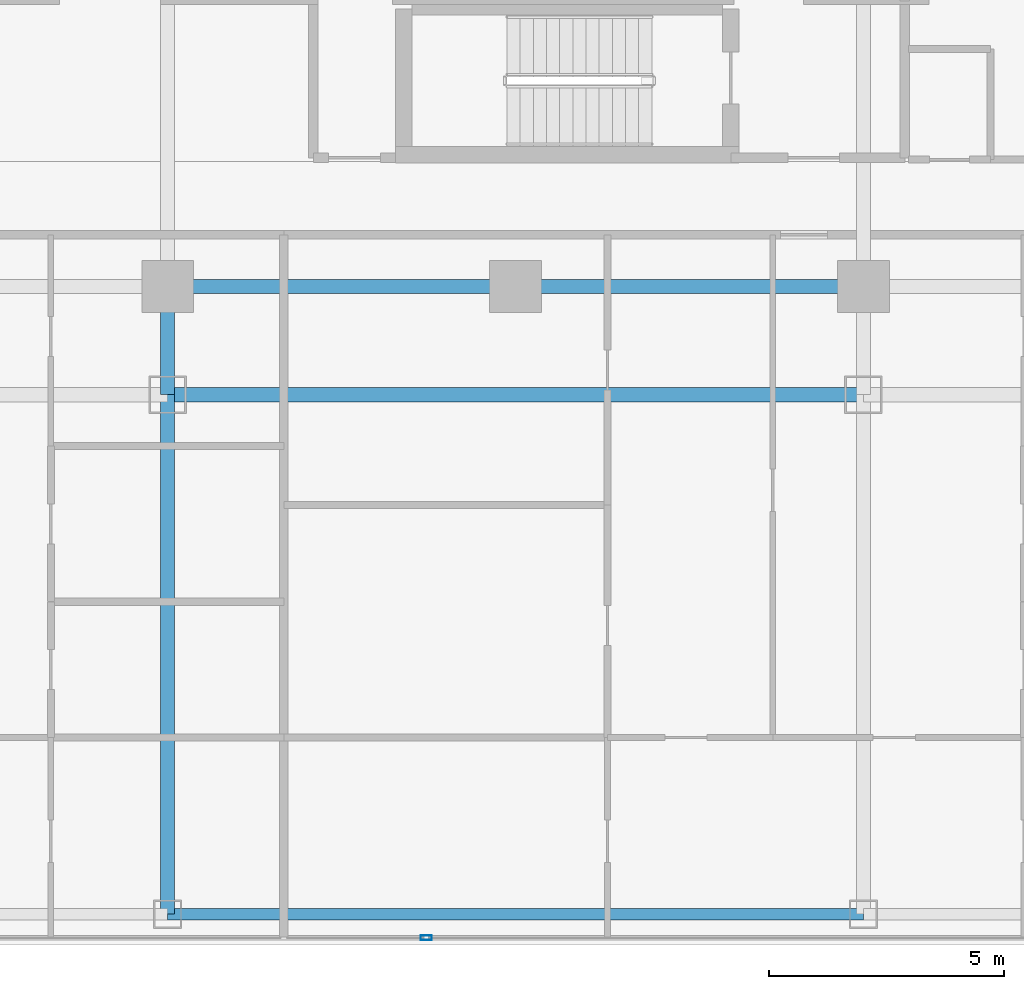
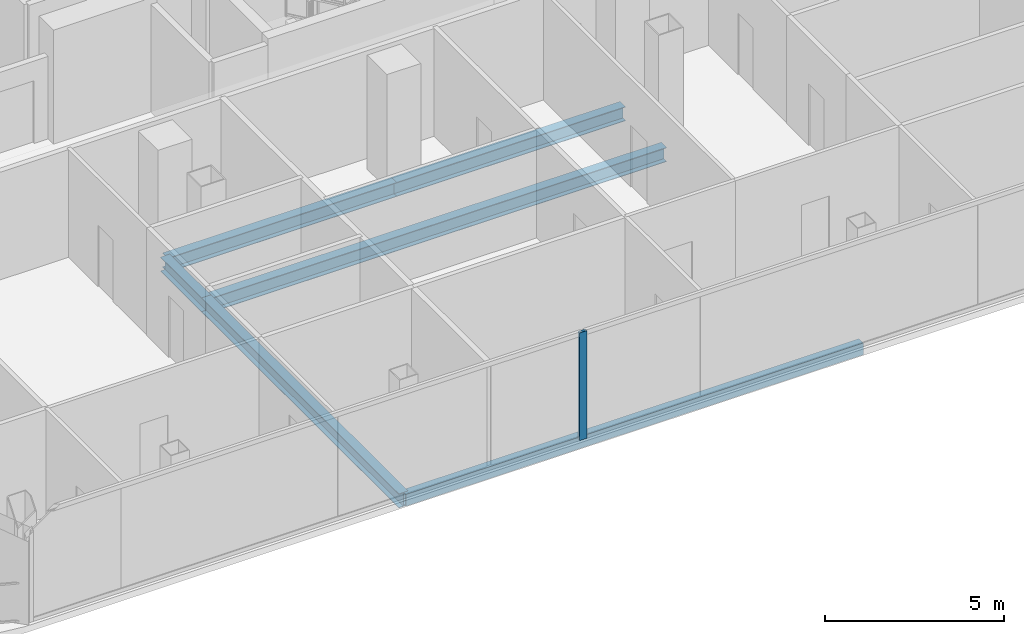
# One storey, part 4 of 23: 6 beams, 1 member, 1 element without a shape of its own.
"""IFC4 building model written with IfcOpenShell, lengths in metres."""

from ifc_helpers import new_model, si_unit, direction, frame, origin, origin_2d, place, context, subcontext, project, spatial, hollow_rectangle, i_section, extrude, material, layer, layer_set, material_profile, profile_set, type_object, element, aggregate, save


model = new_model("IFC4")

# Units and contexts
model_context = context("Model", 3, precision=1e-05, world=origin(), true_north=direction((0.0, 1.0)))
body_context = subcontext(model_context, "Body", "Model", "MODEL_VIEW")
ifc_project = project(units=[si_unit("LENGTHUNIT", "METRE"), si_unit("AREAUNIT", "SQUARE_METRE"), si_unit("VOLUMEUNIT", "CUBIC_METRE"), si_unit("PLANEANGLEUNIT", "RADIAN"), si_unit("MASSUNIT", "GRAM", prefix="KILO")], contexts=[model_context])

# Site, building, storey
site_placement = place(None, origin())
site = spatial("IfcSite", under=ifc_project, at=site_placement, CompositionType="ELEMENT")
building_placement = place(site_placement, origin())
building = spatial("IfcBuilding", under=site, at=building_placement, Name="Khorvyn Point Tower", CompositionType="ELEMENT")
storey_placement = place(building_placement, frame((0.0, 0.0, 199.199951171875)))
storey = spatial("IfcBuildingStorey", under=building, at=storey_placement, Name="L49", CompositionType="ELEMENT", Elevation=199.199951171875)

# Curtain wall, member
ifc_material_1 = material(Name="Anodised aluminium 6063-T6 and laminated Low-E glass", Category="aluminium")
ifc_layer = layer(ifc_material_1, 0.18994140625)
ifc_layer_set = layer_set([ifc_layer], Name="Stick-Built Acoustic Curtain Wall CW-SYS-03")
curtain_wall_type = type_object("IfcCurtainWallType", Name="Stick-Built Acoustic Curtain Wall CW-SYS-03", PredefinedType="NOTDEFINED", material=ifc_layer_set)
curtain_wall_placement = place(storey_placement, origin())
curtain_wall = element("IfcCurtainWall", 1, at=curtain_wall_placement, inside=storey, type_object=curtain_wall_type, Name="Curtain Wall", PredefinedType="NOTDEFINED")
ifc_material_2 = material(Name="Anodised aluminium 6063-T6", Category="aluminium")
ifc_material_profile_1 = material_profile(ifc_material_2, hollow_rectangle(XDim=0.10009765625, YDim=0.239990234375, WallThickness=0.0048828125, at=origin_2d()))
ifc_profile_set_1 = profile_set([ifc_material_profile_1], Name="Anodised aluminium 6063-T6 ALU-MUL-100x240")
member_type = type_object("IfcMemberType", Name="Anodised Aluminium 6063-T6 Mullion ALU-MUL-100x240", PredefinedType="MULLION", material=ifc_profile_set_1)
member_placement = place(storey_placement, frame((-1.89990234375, -28.64990234375, 0.0), z_axis=(0.0, 0.0, 1.0), x_axis=(0.0, -1.0, 0.0)))
member = element("IfcMember", 2, at=member_placement, type_object=member_type, Name="Transom", PredefinedType="MULLION", context=body_context, shape_type="SweptSolid", body=[
    extrude(hollow_rectangle(XDim=0.10009765625, YDim=0.239990234375, WallThickness=0.0048828125, at=origin_2d()), origin(), (0.0, 0.0, 1.0), 3.679931640625),
])
aggregate(curtain_wall, [member])

# Beams
ifc_material_3 = material(Name="Steel S355", Category="steel")
ifc_material_profile_2 = material_profile(ifc_material_3, i_section(OverallWidth=0.300048828125, OverallDepth=0.488037109375, WebThickness=0.010986328125, FlangeThickness=0.01806640625, at=origin_2d()))
ifc_profile_set_2 = profile_set([ifc_material_profile_2], Name="Steel S355 H488x300x11x18")
beam_type_1 = type_object("IfcBeamType", Name="Steel S355 Spandrel H488x300x11x18", PredefinedType="SPANDREL", material=ifc_profile_set_2)
for number, where, z_axis, x_axis, name in (
    (3, (-7.39990234375, -14.800048828125, -0.4638671875), (1.0, 0.0, 0.0), (0.0, 1.0, 0.0), "Beam"),
    (4, (0.0, -14.800048828125, -0.4638671875), (1.0, 0.0, 0.0), (0.0, 1.0, 0.0), "Beam"),
):
    element("IfcBeam", number, at=place(storey_placement, frame(where, z_axis=z_axis, x_axis=x_axis)), inside=storey, type_object=beam_type_1, Name=name, PredefinedType="SPANDREL", context=body_context, shape_type="SweptSolid", body=[
        extrude(i_section(OverallWidth=0.300048828125, OverallDepth=0.488037109375, WebThickness=0.010986328125, FlangeThickness=0.01806640625, at=origin_2d()), origin(), (0.0, 0.0, 1.0), 7.39990234375),
    ])
beam_1_placement = place(storey_placement, frame((-7.39990234375, -17.10009765625, -0.4638671875), z_axis=(1.0, 0.0, 0.0), x_axis=(0.0, 1.0, 0.0)))
element("IfcBeam", 5, at=beam_1_placement, inside=storey, type_object=beam_type_1, Name="Beam", PredefinedType="SPANDREL", context=body_context, shape_type="SweptSolid", body=[
    extrude(i_section(OverallWidth=0.300048828125, OverallDepth=0.488037109375, WebThickness=0.010986328125, FlangeThickness=0.01806640625, at=origin_2d()), origin(), (0.0, 0.0, 1.0), 14.7998046875),
])
beam_2_placement = place(storey_placement, frame((-7.39990234375, -28.14990234375, -0.4638671875), z_axis=(0.0, 1.0, 0.0), x_axis=(-1.0, 0.0, 0.0)))
element("IfcBeam", 6, at=beam_2_placement, inside=storey, type_object=beam_type_1, Name="Beam", PredefinedType="SPANDREL", context=body_context, shape_type="SweptSolid", body=[
    extrude(i_section(OverallWidth=0.300048828125, OverallDepth=0.488037109375, WebThickness=0.010986328125, FlangeThickness=0.01806640625, at=origin_2d()), origin(), (0.0, 0.0, 1.0), 11.0498046875),
])
beam_3_placement = place(storey_placement, frame((-7.39990234375, -17.10009765625, -0.4638671875), z_axis=(0.0, 1.0, 0.0), x_axis=(-1.0, 0.0, 0.0)))
element("IfcBeam", 7, at=beam_3_placement, inside=storey, type_object=beam_type_1, Name="Beam", PredefinedType="SPANDREL", context=body_context, shape_type="SweptSolid", body=[
    extrude(i_section(OverallWidth=0.300048828125, OverallDepth=0.488037109375, WebThickness=0.010986328125, FlangeThickness=0.01806640625, at=origin_2d()), origin(), (0.0, 0.0, 1.0), 2.300048828125),
])
ifc_material_profile_3 = material_profile(ifc_material_3, hollow_rectangle(XDim=0.25, YDim=0.39990234375, WallThickness=0.01611328125, at=origin_2d()))
ifc_profile_set_3 = profile_set([ifc_material_profile_3], Name="Steel S355 RHS400x250x16")
beam_type_2 = type_object("IfcBeamType", Name="Steel S355 Spandrel RHS400x250x16", PredefinedType="SPANDREL", material=ifc_profile_set_3)
beam_4_placement = place(storey_placement, frame((-7.39990234375, -28.14990234375, -0.419921875), z_axis=(1.0, 0.0, 0.0), x_axis=(0.0, 1.0, 0.0)))
element("IfcBeam", 8, at=beam_4_placement, inside=storey, type_object=beam_type_2, Name="Beam", PredefinedType="SPANDREL", context=body_context, shape_type="SweptSolid", body=[
    extrude(hollow_rectangle(XDim=0.25, YDim=0.39990234375, WallThickness=0.01611328125, at=origin_2d()), origin(), (0.0, 0.0, 1.0), 14.7998046875),
])

save(model, "model.ifc")
